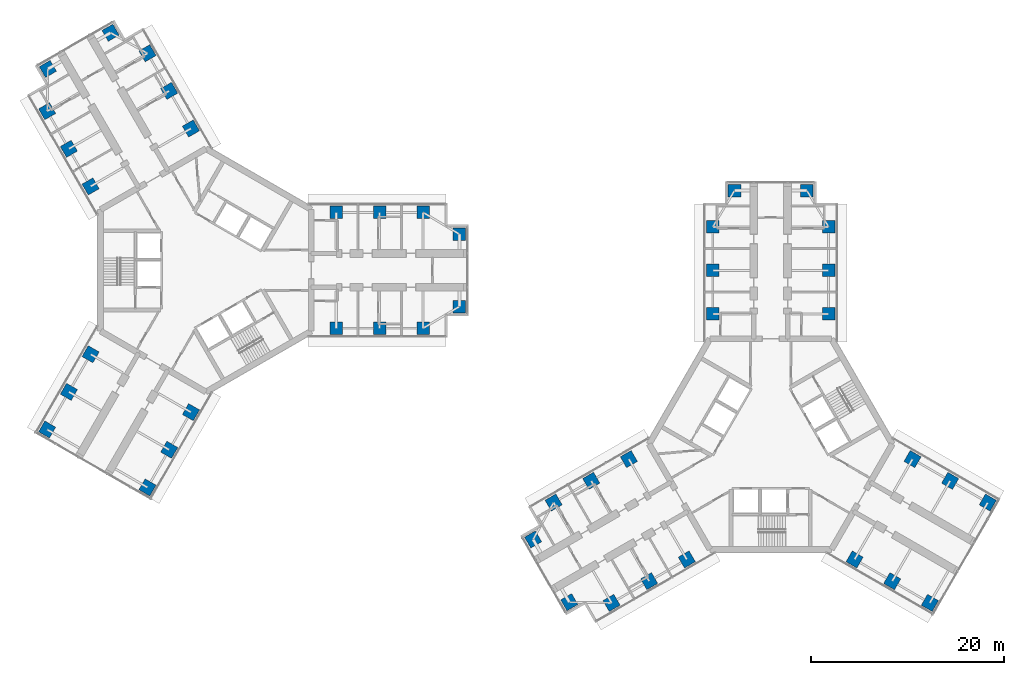
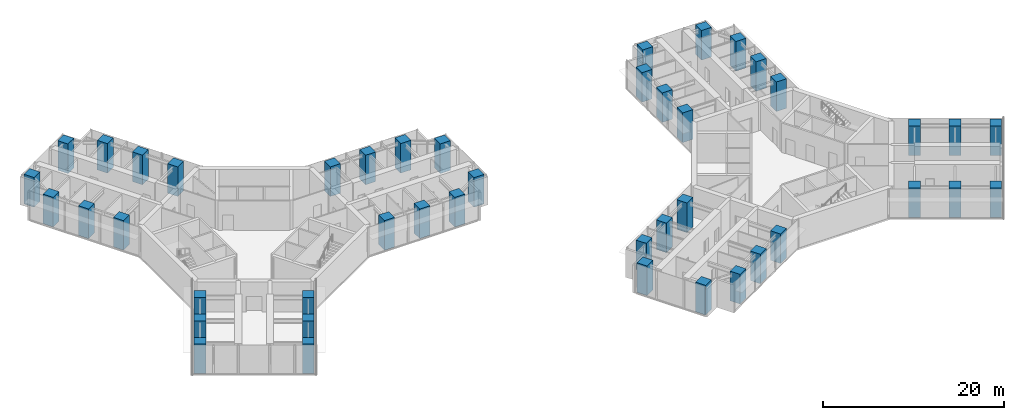
# One storey, part 1 of 22: 44 columns.
"""IFC4 building model written with IfcOpenShell, lengths in metres."""

from ifc_helpers import new_model, si_unit, direction, frame, origin, origin_2d, place, context, subcontext, project, spatial, rectangle, extrude, material, material_profile, profile_set, type_object, element, save


model = new_model("IFC4")

# Units and contexts
model_context = context("Model", 3, precision=1e-05, world=origin(), true_north=direction((0.0, 1.0)))
body_context = subcontext(model_context, "Body", "Model", "MODEL_VIEW")
ifc_project = project(units=[si_unit("LENGTHUNIT", "METRE"), si_unit("AREAUNIT", "SQUARE_METRE"), si_unit("VOLUMEUNIT", "CUBIC_METRE"), si_unit("PLANEANGLEUNIT", "RADIAN"), si_unit("MASSUNIT", "GRAM", prefix="KILO")], contexts=[model_context])

# Site, building, storey
site_placement = place(None, origin())
site = spatial("IfcSite", under=ifc_project, at=site_placement, CompositionType="ELEMENT")
building_placement = place(site_placement, origin())
building = spatial("IfcBuilding", under=site, at=building_placement, Name="Upepo Twin Towers", CompositionType="ELEMENT")
storey_placement = place(building_placement, frame((0.0, 0.0, 133.5)))
storey = spatial("IfcBuildingStorey", under=building, at=storey_placement, Name="L32", CompositionType="ELEMENT", Elevation=133.5)

# Columns
ifc_material = material(Name="Concrete C60/75", Category="concrete")
ifc_material_profile = material_profile(ifc_material, rectangle(XDim=1.300048828125, YDim=1.300048828125, at=origin_2d()), Name="RC 1300x1300")
ifc_profile_set = profile_set([ifc_material_profile], Name="Concrete C60/75")
column_type = type_object("IfcColumnType", Name="Tower column RC 1300x1300", PredefinedType="COLUMN", material=ifc_profile_set)
for number, where, z_axis, x_axis, name in (
    (1, (13.5, 6.0, 0.0), (0.0, 0.0, 1.0), (1.0, 0.0, 0.0), "T1 column AL135"),
    (2, (13.5, -6.0, 0.0), (0.0, 0.0, 1.0), (1.0, 0.0, 0.0), "T1 column AR135"),
    (3, (18.0, 6.0, 0.0), (0.0, 0.0, 1.0), (1.0, 0.0, 0.0), "T1 column AL180"),
    (4, (18.0, -6.0, 0.0), (0.0, 0.0, 1.0), (1.0, 0.0, 0.0), "T1 column AR180"),
    (5, (22.5, 6.0, 0.0), (0.0, 0.0, 1.0), (1.0, 0.0, 0.0), "T1 column AL225"),
    (6, (22.5, -6.0, 0.0), (0.0, 0.0, 1.0), (1.0, 0.0, 0.0), "T1 column AR225"),
    (7, (26.25, 3.75, 0.0), (0.0, 0.0, 1.0), (1.0, 0.0, 0.0), "T1 column ALN"),
    (8, (26.25, -3.75, 0.0), (0.0, 0.0, 1.0), (1.0, 0.0, 0.0), "T1 column ARN"),
    (9, (-11.946044921875, 8.69140625, 0.0), (0.0, 0.0, 1.0), (0.866025403784, 0.5, 0.0), "T1 column BL135"),
    (10, (-1.553955078125, 14.69140625, 0.0), (0.0, 0.0, 1.0), (0.866025403784, 0.5, 0.0), "T1 column BR135"),
    (11, (-14.196044921875, 12.58837890625, 0.0), (0.0, 0.0, 1.0), (0.866025403784, 0.5, 0.0), "T1 column BL180"),
    (12, (-3.803955078125, 18.58837890625, 0.0), (0.0, 0.0, 1.0), (0.866025403784, 0.5, 0.0), "T1 column BR180"),
    (13, (-16.446044921875, 16.485595703125, 0.0), (0.0, 0.0, 1.0), (0.866025403784, 0.5, 0.0), "T1 column BL225"),
    (14, (-6.053955078125, 22.485595703125, 0.0), (0.0, 0.0, 1.0), (0.866025403784, 0.5, 0.0), "T1 column BR225"),
    (15, (-16.37255859375, 20.858154296875, 0.0), (0.0, 0.0, 1.0), (0.866025403784, 0.5, 0.0), "T1 column BLN"),
    (16, (-9.87744140625, 24.608154296875, 0.0), (0.0, 0.0, 1.0), (0.866025403784, 0.5, 0.0), "T1 column BRN"),
    (17, (-1.553955078125, -14.69140625, 0.0), (0.0, 0.0, 1.0), (0.5, 0.866025403784, 0.0), "T1 column CL135"),
    (18, (-11.946044921875, -8.69140625, 0.0), (0.0, 0.0, 1.0), (0.5, 0.866025403784, 0.0), "T1 column CR135"),
    (19, (-3.803955078125, -18.58837890625, 0.0), (0.0, 0.0, 1.0), (0.5, 0.866025403784, 0.0), "T1 column CL180"),
    (20, (-14.196044921875, -12.58837890625, 0.0), (0.0, 0.0, 1.0), (0.5, 0.866025403784, 0.0), "T1 column CR180"),
    (21, (-6.053955078125, -22.485595703125, 0.0), (0.0, 0.0, 1.0), (0.5, 0.866025403784, 0.0), "T1 column CL225"),
    (22, (-16.446044921875, -16.485595703125, 0.0), (0.0, 0.0, 1.0), (0.5, 0.866025403784, 0.0), "T1 column CR225"),
    (23, (52.5, -4.5, 0.0), (0.0, 0.0, 1.0), (1.0, 0.0, 0.0), "T2 column AL135"),
    (24, (64.5, -4.5, 0.0), (0.0, 0.0, 1.0), (1.0, 0.0, 0.0), "T2 column AR135"),
    (25, (52.5, 0.0, 0.0), (0.0, 0.0, 1.0), (1.0, 0.0, 0.0), "T2 column AL180"),
    (26, (64.5, 0.0, 0.0), (0.0, 0.0, 1.0), (1.0, 0.0, 0.0), "T2 column AR180"),
    (27, (52.5, 4.5, 0.0), (0.0, 0.0, 1.0), (1.0, 0.0, 0.0), "T2 column AL225"),
    (28, (64.5, 4.5, 0.0), (0.0, 0.0, 1.0), (1.0, 0.0, 0.0), "T2 column AR225"),
    (29, (54.75, 8.25, 0.0), (0.0, 0.0, 1.0), (1.0, 0.0, 0.0), "T2 column ALN"),
    (30, (62.25, 8.25, 0.0), (0.0, 0.0, 1.0), (1.0, 0.0, 0.0), "T2 column ARN"),
    (31, (49.80859375, -29.946044921875, 0.0), (0.0, 0.0, 1.0), (0.866025403784, 0.5, 0.0), "T2 column BL135"),
    (32, (43.80859375, -19.553955078125, 0.0), (0.0, 0.0, 1.0), (0.866025403784, 0.5, 0.0), "T2 column BR135"),
    (33, (45.91162109375, -32.196044921875, 0.0), (0.0, 0.0, 1.0), (0.866025403784, 0.5, 0.0), "T2 column BL180"),
    (34, (39.91162109375, -21.803955078125, 0.0), (0.0, 0.0, 1.0), (0.866025403784, 0.5, 0.0), "T2 column BR180"),
    (35, (42.014404296875, -34.446044921875, 0.0), (0.0, 0.0, 1.0), (0.866025403784, 0.5, 0.0), "T2 column BL225"),
    (36, (36.014404296875, -24.053955078125, 0.0), (0.0, 0.0, 1.0), (0.866025403784, 0.5, 0.0), "T2 column BR225"),
    (37, (37.641845703125, -34.37255859375, 0.0), (0.0, 0.0, 1.0), (0.866025403784, 0.5, 0.0), "T2 column BLN"),
    (38, (33.891845703125, -27.87744140625, 0.0), (0.0, 0.0, 1.0), (0.866025403784, 0.5, 0.0), "T2 column BRN"),
    (39, (73.19140625, -19.553955078125, 0.0), (0.0, 0.0, 1.0), (0.5, 0.866025403784, 0.0), "T2 column CL135"),
    (40, (67.19140625, -29.946044921875, 0.0), (0.0, 0.0, 1.0), (0.5, 0.866025403784, 0.0), "T2 column CR135"),
    (41, (77.08837890625, -21.803955078125, 0.0), (0.0, 0.0, 1.0), (0.5, 0.866025403784, 0.0), "T2 column CL180"),
    (42, (71.08837890625, -32.196044921875, 0.0), (0.0, 0.0, 1.0), (0.5, 0.866025403784, 0.0), "T2 column CR180"),
    (43, (80.985595703125, -24.053955078125, 0.0), (0.0, 0.0, 1.0), (0.5, 0.866025403784, 0.0), "T2 column CL225"),
    (44, (74.985595703125, -34.446044921875, 0.0), (0.0, 0.0, 1.0), (0.5, 0.866025403784, 0.0), "T2 column CR225"),
):
    element("IfcColumn", number, at=place(storey_placement, frame(where, z_axis=z_axis, x_axis=x_axis)), inside=storey, type_object=column_type, Name=name, PredefinedType="COLUMN", context=body_context, shape_type="SweptSolid", body=[
        extrude(rectangle(XDim=1.300048828125, YDim=1.300048828125, at=origin_2d()), origin(), (0.0, 0.0, 1.0), 4.0),
    ])

save(model, "model.ifc")
